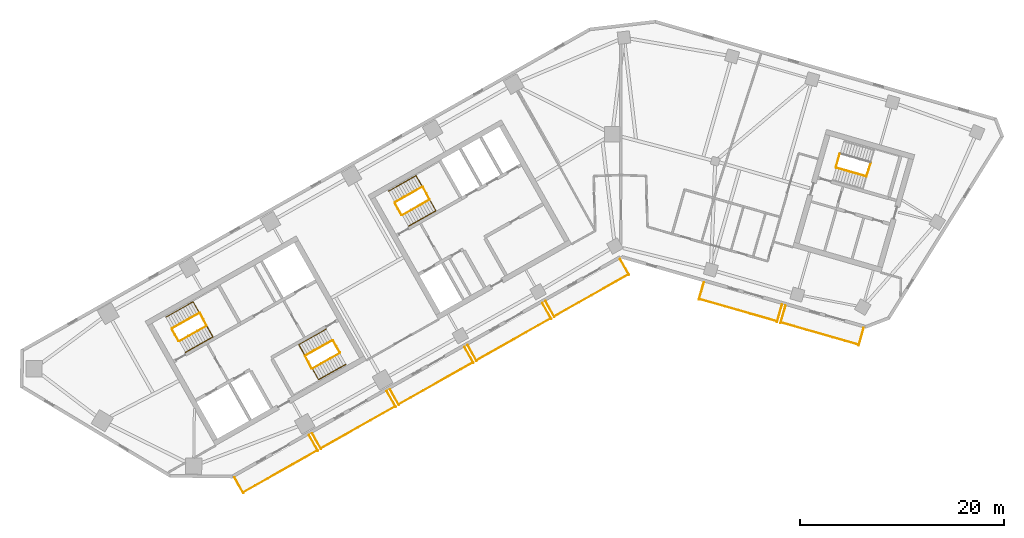
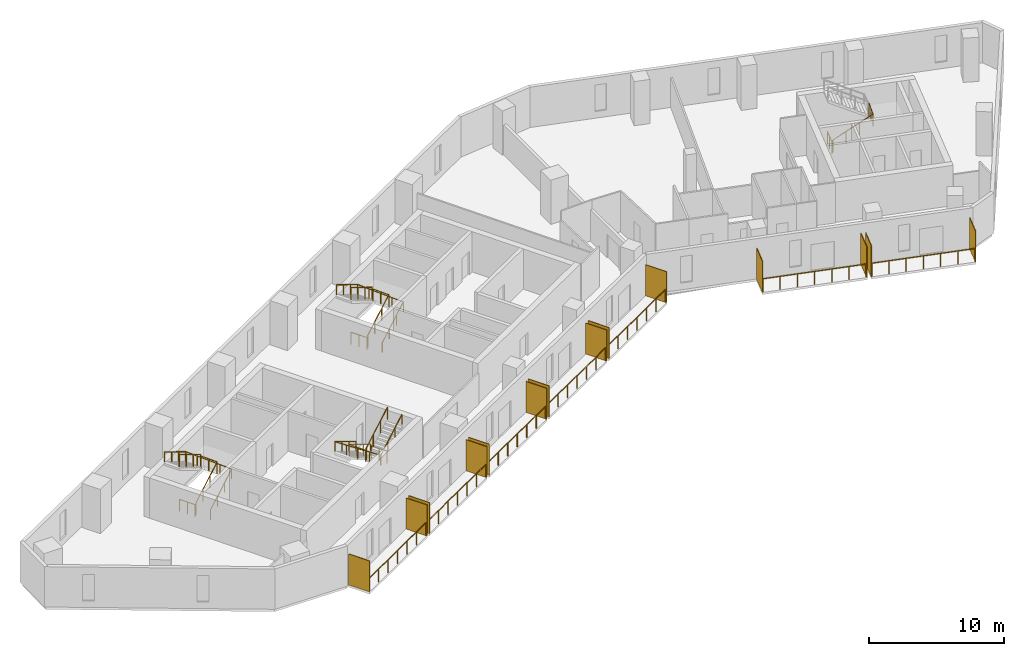
# One storey, part 8 of 9: 21 railings, 14 shading devices.
"""IFC4 building model written with IfcOpenShell, lengths in metres."""

from ifc_helpers import new_model, si_unit, direction, frame, origin, origin_2d, place, context, subcontext, project, spatial, rectangle, circle, extrude, material, layer, layer_set, type_object, element, save


model = new_model("IFC4")

# Units and contexts
model_context = context("Model", 3, precision=1e-05, world=origin(), true_north=direction((0.0, 1.0)))
body_context = subcontext(model_context, "Body", "Model", "MODEL_VIEW")
ifc_project = project(units=[si_unit("LENGTHUNIT", "METRE"), si_unit("AREAUNIT", "SQUARE_METRE"), si_unit("VOLUMEUNIT", "CUBIC_METRE"), si_unit("PLANEANGLEUNIT", "RADIAN"), si_unit("MASSUNIT", "GRAM", prefix="KILO")], contexts=[model_context])

# Site, building, storey
site_placement = place(None, origin())
site = spatial("IfcSite", under=ifc_project, at=site_placement, CompositionType="ELEMENT")
building_placement = place(site_placement, origin())
building = spatial("IfcBuilding", under=site, at=building_placement, Name="Binnacle Exchange Tower", CompositionType="ELEMENT")
storey_placement = place(building_placement, frame((0.0, 0.0, 198.89990234375)))
storey = spatial("IfcBuildingStorey", under=building, at=storey_placement, Name="L43", CompositionType="ELEMENT", Elevation=198.89990234375)

# Railings
ifc_material_1 = material(Name="Bronze anodised aluminium frame", Category="aluminium")
railing_type_1 = type_object("IfcRailingType", Name="GUARD 1200", PredefinedType="GUARDRAIL", material=ifc_material_1)
railing_1_placement = place(storey_placement, frame((-36.994140625, 24.921142578125, 0.0)))
element("IfcRailing", 1, at=railing_1_placement, inside=storey, type_object=railing_type_1, Name="Balcony guard G01-B00 L43", PredefinedType="GUARDRAIL", context=body_context, shape_type="SweptSolid", body=[
    extrude(circle(Radius=0.02392578125, at=origin_2d()), frame((0.0, 0.0, 1.17578125), z_axis=(0.8703461643, 0.49244040684, 0.0), x_axis=(-0.49244040684, 0.8703461643, 0.0)), (0.0, 0.0, 1.0), 8.33447265625),
    extrude(circle(Radius=0.02099609375, at=origin_2d()), origin(), (0.0, 0.0, 1.0), 1.15185546875),
    extrude(circle(Radius=0.02099609375, at=origin_2d()), frame((1.208984375, 0.68408203125, 0.0)), (0.0, 0.0, 1.0), 1.15185546875),
    extrude(circle(Radius=0.02099609375, at=origin_2d()), frame((2.41796875, 1.3681640625, 0.0)), (0.0, 0.0, 1.0), 1.15185546875),
    extrude(circle(Radius=0.02099609375, at=origin_2d()), frame((3.626953125, 2.05224609375, 0.0)), (0.0, 0.0, 1.0), 1.15185546875),
    extrude(circle(Radius=0.02099609375, at=origin_2d()), frame((4.8359375, 2.736083984375, 0.0)), (0.0, 0.0, 1.0), 1.15185546875),
    extrude(circle(Radius=0.02099609375, at=origin_2d()), frame((6.044921875, 3.420166015625, 0.0)), (0.0, 0.0, 1.0), 1.15185546875),
    extrude(circle(Radius=0.02099609375, at=origin_2d()), frame((7.25390625, 4.104248046875, 0.0)), (0.0, 0.0, 1.0), 1.15185546875),
])
railing_2_placement = place(storey_placement, frame((-29.374755859375, 29.232177734375, 0.0)))
element("IfcRailing", 2, at=railing_2_placement, inside=storey, type_object=railing_type_1, Name="Balcony guard G01-B01 L43", PredefinedType="GUARDRAIL", context=body_context, shape_type="SweptSolid", body=[
    extrude(circle(Radius=0.02392578125, at=origin_2d()), frame((0.0, 0.0, 1.17578125), z_axis=(0.870365821494, 0.492405662818, 0.0), x_axis=(-0.492405662818, 0.870365821494, 0.0)), (0.0, 0.0, 1.0), 8.334716796875),
    extrude(circle(Radius=0.02099609375, at=origin_2d()), origin(), (0.0, 0.0, 1.0), 1.15185546875),
    extrude(circle(Radius=0.02099609375, at=origin_2d()), frame((1.208984375, 0.68408203125, 0.0)), (0.0, 0.0, 1.0), 1.15185546875),
    extrude(circle(Radius=0.02099609375, at=origin_2d()), frame((2.41796875, 1.367919921875, 0.0)), (0.0, 0.0, 1.0), 1.15185546875),
    extrude(circle(Radius=0.02099609375, at=origin_2d()), frame((3.626953125, 2.052001953125, 0.0)), (0.0, 0.0, 1.0), 1.15185546875),
    extrude(circle(Radius=0.02099609375, at=origin_2d()), frame((4.836181640625, 2.736083984375, 0.0)), (0.0, 0.0, 1.0), 1.15185546875),
    extrude(circle(Radius=0.02099609375, at=origin_2d()), frame((6.045166015625, 3.419921875, 0.0)), (0.0, 0.0, 1.0), 1.15185546875),
    extrude(circle(Radius=0.02099609375, at=origin_2d()), frame((7.254150390625, 4.10400390625, 0.0)), (0.0, 0.0, 1.0), 1.15185546875),
])
railing_3_placement = place(storey_placement, frame((-21.7548828125, 33.54296875, 0.0)))
element("IfcRailing", 3, at=railing_3_placement, inside=storey, type_object=railing_type_1, Name="Balcony guard G01-B02 L43", PredefinedType="GUARDRAIL", context=body_context, shape_type="SweptSolid", body=[
    extrude(circle(Radius=0.02392578125, at=origin_2d()), frame((0.0, 0.0, 1.17578125), z_axis=(0.870339060608, 0.492452961795, 0.0), x_axis=(-0.492452961795, 0.870339060608, 0.0)), (0.0, 0.0, 1.0), 8.334228515625),
    extrude(circle(Radius=0.02099609375, at=origin_2d()), origin(), (0.0, 0.0, 1.0), 1.15185546875),
    extrude(circle(Radius=0.02099609375, at=origin_2d()), frame((1.208984375, 0.68408203125, 0.0)), (0.0, 0.0, 1.0), 1.15185546875),
    extrude(circle(Radius=0.02099609375, at=origin_2d()), frame((2.41796875, 1.3681640625, 0.0)), (0.0, 0.0, 1.0), 1.15185546875),
    extrude(circle(Radius=0.02099609375, at=origin_2d()), frame((3.626953125, 2.05224609375, 0.0)), (0.0, 0.0, 1.0), 1.15185546875),
    extrude(circle(Radius=0.02099609375, at=origin_2d()), frame((4.835693359375, 2.736083984375, 0.0)), (0.0, 0.0, 1.0), 1.15185546875),
    extrude(circle(Radius=0.02099609375, at=origin_2d()), frame((6.044677734375, 3.420166015625, 0.0)), (0.0, 0.0, 1.0), 1.15185546875),
    extrude(circle(Radius=0.02099609375, at=origin_2d()), frame((7.253662109375, 4.104248046875, 0.0)), (0.0, 0.0, 1.0), 1.15185546875),
])
railing_4_placement = place(storey_placement, frame((-14.135498046875, 37.85400390625, 0.0)))
element("IfcRailing", 4, at=railing_4_placement, inside=storey, type_object=railing_type_1, Name="Balcony guard G01-B03 L43", PredefinedType="GUARDRAIL", context=body_context, shape_type="SweptSolid", body=[
    extrude(circle(Radius=0.02392578125, at=origin_2d()), frame((0.0, 0.0, 1.17578125), z_axis=(0.870365821494, 0.492405662818, 0.0), x_axis=(-0.492405662818, 0.870365821494, 0.0)), (0.0, 0.0, 1.0), 8.334716796875),
    extrude(circle(Radius=0.02099609375, at=origin_2d()), origin(), (0.0, 0.0, 1.0), 1.15185546875),
    extrude(circle(Radius=0.02099609375, at=origin_2d()), frame((1.208984375, 0.68408203125, 0.0)), (0.0, 0.0, 1.0), 1.15185546875),
    extrude(circle(Radius=0.02099609375, at=origin_2d()), frame((2.41796875, 1.367919921875, 0.0)), (0.0, 0.0, 1.0), 1.15185546875),
    extrude(circle(Radius=0.02099609375, at=origin_2d()), frame((3.626953125, 2.052001953125, 0.0)), (0.0, 0.0, 1.0), 1.15185546875),
    extrude(circle(Radius=0.02099609375, at=origin_2d()), frame((4.836181640625, 2.736083984375, 0.0)), (0.0, 0.0, 1.0), 1.15185546875),
    extrude(circle(Radius=0.02099609375, at=origin_2d()), frame((6.045166015625, 3.419921875, 0.0)), (0.0, 0.0, 1.0), 1.15185546875),
    extrude(circle(Radius=0.02099609375, at=origin_2d()), frame((7.254150390625, 4.10400390625, 0.0)), (0.0, 0.0, 1.0), 1.15185546875),
])
railing_5_placement = place(storey_placement, frame((-6.515869140625, 42.164794921875, 0.0)))
element("IfcRailing", 5, at=railing_5_placement, inside=storey, type_object=railing_type_1, Name="Balcony guard G01-B04 L43", PredefinedType="GUARDRAIL", context=body_context, shape_type="SweptSolid", body=[
    extrude(circle(Radius=0.02392578125, at=origin_2d()), frame((0.0, 0.0, 1.17578125), z_axis=(0.8703461643, 0.49244040684, 0.0), x_axis=(-0.49244040684, 0.8703461643, 0.0)), (0.0, 0.0, 1.0), 8.33447265625),
    extrude(circle(Radius=0.02099609375, at=origin_2d()), origin(), (0.0, 0.0, 1.0), 1.15185546875),
    extrude(circle(Radius=0.02099609375, at=origin_2d()), frame((1.208984375, 0.68408203125, 0.0)), (0.0, 0.0, 1.0), 1.15185546875),
    extrude(circle(Radius=0.02099609375, at=origin_2d()), frame((2.41796875, 1.3681640625, 0.0)), (0.0, 0.0, 1.0), 1.15185546875),
    extrude(circle(Radius=0.02099609375, at=origin_2d()), frame((3.626953125, 2.05224609375, 0.0)), (0.0, 0.0, 1.0), 1.15185546875),
    extrude(circle(Radius=0.02099609375, at=origin_2d()), frame((4.8359375, 2.736083984375, 0.0)), (0.0, 0.0, 1.0), 1.15185546875),
    extrude(circle(Radius=0.02099609375, at=origin_2d()), frame((6.044921875, 3.420166015625, 0.0)), (0.0, 0.0, 1.0), 1.15185546875),
    extrude(circle(Radius=0.02099609375, at=origin_2d()), frame((7.25390625, 4.104248046875, 0.0)), (0.0, 0.0, 1.0), 1.15185546875),
])
for number, where, name in (
    (6, (7.6845703125, 43.85107421875, 0.0), "Balcony guard G02-B01 L43"),
    (7, (15.6826171875, 41.5576171875, 0.0), "Balcony guard G02-B02 L43"),
):
    element("IfcRailing", number, at=place(storey_placement, frame(where)), inside=storey, type_object=railing_type_1, Name=name, PredefinedType="GUARDRAIL", context=body_context, shape_type="SweptSolid", body=[
        extrude(circle(Radius=0.02392578125, at=origin_2d()), frame((0.0, 0.0, 1.17578125), z_axis=(0.961265805968, -0.275623022035, 0.0), x_axis=(0.275623022035, 0.961265805968, 0.0)), (0.0, 0.0, 1.0), 7.900146484375),
        extrude(circle(Radius=0.02099609375, at=origin_2d()), origin(), (0.0, 0.0, 1.0), 1.15185546875),
        extrude(circle(Radius=0.02099609375, at=origin_2d()), frame((1.265625, -0.36279296875, 0.0)), (0.0, 0.0, 1.0), 1.15185546875),
        extrude(circle(Radius=0.02099609375, at=origin_2d()), frame((2.531494140625, -0.725830078125, 0.0)), (0.0, 0.0, 1.0), 1.15185546875),
        extrude(circle(Radius=0.02099609375, at=origin_2d()), frame((3.797119140625, -1.0888671875, 0.0)), (0.0, 0.0, 1.0), 1.15185546875),
        extrude(circle(Radius=0.02099609375, at=origin_2d()), frame((5.062744140625, -1.45166015625, 0.0)), (0.0, 0.0, 1.0), 1.15185546875),
        extrude(circle(Radius=0.02099609375, at=origin_2d()), frame((6.32861328125, -1.814453125, 0.0)), (0.0, 0.0, 1.0), 1.15185546875),
        extrude(circle(Radius=0.02099609375, at=origin_2d()), frame((7.59423828125, -2.177490234375, 0.0)), (0.0, 0.0, 1.0), 1.15185546875),
    ])

# Shading devices
ifc_material_2 = material(Name="Bronze aluminium louvre", Category="aluminium")
ifc_layer = layer(ifc_material_2, 0.06005859375)
ifc_layer_set = layer_set([ifc_layer], Name="PLANTED SCREEN 60x2800")
shading_device_type = type_object("IfcShadingDeviceType", Name="PLANTED SCREEN 60x2800", PredefinedType="USERDEFINED", material=ifc_layer_set)
for number, where, z_axis, x_axis, name in (
    (8, (-37.424072265625, 25.6201171875, 0.0), (0.0, 0.0, 1.0), (0.87035569594, 0.492423560103, 0.0), "Planted screen G01-B00a L43"),
    (9, (-30.117919921875, 29.753662109375, 0.0), (0.0, 0.0, 1.0), (0.87035569594, 0.492423560103, 0.0), "Planted screen G01-B00b L43"),
    (10, (-29.8046875, 29.930908203125, 0.0), (0.0, 0.0, 1.0), (0.87035569594, 0.492423560103, 0.0), "Planted screen G01-B01a L43"),
    (11, (-22.498291015625, 34.064697265625, 0.0), (0.0, 0.0, 1.0), (0.87035569594, 0.492423560103, 0.0), "Planted screen G01-B01b L43"),
    (12, (-22.184814453125, 34.241943359375, 0.0), (0.0, 0.0, 1.0), (0.87035569594, 0.492423560103, 0.0), "Planted screen G01-B02a L43"),
    (13, (-14.878662109375, 38.37548828125, 0.0), (0.0, 0.0, 1.0), (0.87035569594, 0.492423560103, 0.0), "Planted screen G01-B02b L43"),
    (14, (-14.5654296875, 38.552978515625, 0.0), (0.0, 0.0, 1.0), (0.87035569594, 0.492423560103, 0.0), "Planted screen G01-B03a L43"),
    (15, (-7.259033203125, 42.6865234375, 0.0), (0.0, 0.0, 1.0), (0.87035569594, 0.492423560103, 0.0), "Planted screen G01-B03b L43"),
    (16, (-6.94580078125, 42.864013671875, 0.0), (0.0, 0.0, 1.0), (0.87035569594, 0.492423560103, 0.0), "Planted screen G01-B04a L43"),
    (17, (0.3603515625, 46.99755859375, 0.0), (0.0, 0.0, 1.0), (0.87035569594, 0.492423560103, 0.0), "Planted screen G01-B04b L43"),
    (18, (7.881591796875, 44.647705078125, 0.0), (0.0, 0.0, 1.0), (0.961261695938, -0.275637355817, 0.0), "Planted screen G02-B01a L43"),
    (19, (15.53369140625, 42.45361328125, 0.0), (0.0, 0.0, 1.0), (0.961261695938, -0.275637355817, 0.0), "Planted screen G02-B01b L43"),
    (20, (15.8798828125, 42.354248046875, 0.0), (0.0, 0.0, 1.0), (0.961261695938, -0.275637355817, 0.0), "Planted screen G02-B02a L43"),
    (21, (23.53173828125, 40.16015625, 0.0), (0.0, 0.0, 1.0), (0.961261695938, -0.275637355817, 0.0), "Planted screen G02-B02b L43"),
):
    element("IfcShadingDevice", number, at=place(storey_placement, frame(where, z_axis=z_axis, x_axis=x_axis)), inside=storey, type_object=shading_device_type, Name=name, ObjectType="SCREEN", PredefinedType="USERDEFINED", context=body_context, shape_type="SweptSolid", body=[
        extrude(rectangle(XDim=0.06005859375, YDim=1.800048828125, at=origin_2d()), origin(), (0.0, 0.0, 1.0), 2.800048828125),
    ])

# Railings
ifc_material_3 = material(Name="Steel guard rail", Category="steel")
railing_type_2 = type_object("IfcRailingType", Name="STAIR GUARD 1100", PredefinedType="GUARDRAIL", material=ifc_material_3)
railing_6_placement = place(storey_placement, frame((-43.26171875, 39.71728515625, 0.166748046875)))
element("IfcRailing", 22, at=railing_6_placement, inside=storey, type_object=railing_type_2, Name="L43 STA1 stair guard 1", PredefinedType="GUARDRAIL", context=body_context, shape_type="SweptSolid", body=[
    extrude(circle(Radius=0.02392578125, at=origin_2d()), frame((0.0, 0.0, 1.076171875), z_axis=(0.747900833971, 0.423129324283, 0.511474258861), x_axis=(-0.492412445098, 0.870361984414, 0.0)), (0.0, 0.0, 1.0), 3.584228515625),
    extrude(circle(Radius=0.02392578125, at=origin_2d()), frame((2.6806640625, 1.5166015625, 2.9091796875), z_axis=(-0.461100321709, 0.887348011391, 0.0), x_axis=(-0.887348011391, -0.461100321709, 0.0)), (0.0, 0.0, 1.0), 1.40087890625),
    extrude(circle(Radius=0.02099609375, at=origin_2d()), origin(), (0.0, 0.0, 1.0), 1.052001953125),
    extrude(circle(Radius=0.02099609375, at=origin_2d()), frame((0.8935546875, 0.505615234375, 0.611083984375)), (0.0, 0.0, 1.0), 1.052001953125),
    extrude(circle(Radius=0.02099609375, at=origin_2d()), frame((1.787109375, 1.010986328125, 1.22216796875)), (0.0, 0.0, 1.0), 1.052001953125),
    extrude(circle(Radius=0.02099609375, at=origin_2d()), frame((2.6806640625, 1.5166015625, 1.833251953125)), (0.0, 0.0, 1.0), 1.052001953125),
    extrude(circle(Radius=0.02099609375, at=origin_2d()), frame((2.357666015625, 2.13818359375, 1.833251953125)), (0.0, 0.0, 1.0), 1.052001953125),
    extrude(circle(Radius=0.02099609375, at=origin_2d()), frame((2.03466796875, 2.759765625, 1.833251953125)), (0.0, 0.0, 1.0), 1.052001953125),
])
railing_7_placement = place(storey_placement, frame((-41.295166015625, 42.49609375, 2.166748046875)))
element("IfcRailing", 23, at=railing_7_placement, inside=storey, type_object=railing_type_2, Name="L43 STA1 stair guard 2", PredefinedType="GUARDRAIL", context=body_context, shape_type="SweptSolid", body=[
    extrude(circle(Radius=0.02392578125, at=origin_2d()), frame((0.0, 0.0, 1.076171875), z_axis=(-0.747879277632, -0.423185241524, 0.511459516916), x_axis=(0.492472489424, -0.870328011247, 0.0)), (0.0, 0.0, 1.0), 3.58447265625),
    extrude(circle(Radius=0.02099609375, at=origin_2d()), origin(), (0.0, 0.0, 1.0), 1.052001953125),
    extrude(circle(Radius=0.02099609375, at=origin_2d()), frame((-0.8935546875, -0.505615234375, 0.611083984375)), (0.0, 0.0, 1.0), 1.052001953125),
    extrude(circle(Radius=0.02099609375, at=origin_2d()), frame((-1.787109375, -1.01123046875, 1.22216796875)), (0.0, 0.0, 1.0), 1.052001953125),
    extrude(circle(Radius=0.02099609375, at=origin_2d()), frame((-2.6806640625, -1.516845703125, 1.833251953125)), (0.0, 0.0, 1.0), 1.052001953125),
])
railing_8_placement = place(storey_placement, frame((-43.329833984375, 39.736328125, 0.0)))
element("IfcRailing", 24, at=railing_8_placement, inside=storey, type_object=railing_type_2, Name="L43 STA1 stair guard 3", PredefinedType="GUARDRAIL", context=body_context, shape_type="SweptSolid", body=[
    extrude(circle(Radius=0.02392578125, at=origin_2d()), frame((0.0, 0.0, 1.076171875), z_axis=(-0.4924922531, 0.870316827734, 0.0), x_axis=(-0.870316827734, -0.4924922531, 0.0)), (0.0, 0.0, 1.0), 1.349853515625),
    extrude(circle(Radius=0.02099609375, at=origin_2d()), origin(), (0.0, 0.0, 1.0), 1.052001953125),
    extrude(circle(Radius=0.02099609375, at=origin_2d()), frame((-0.33251953125, 0.58740234375, 0.0)), (0.0, 0.0, 1.0), 1.052001953125),
    extrude(circle(Radius=0.02099609375, at=origin_2d()), frame((-0.664794921875, 1.1748046875, 0.0)), (0.0, 0.0, 1.0), 1.052001953125),
])
railing_9_placement = place(storey_placement, frame((-28.265380859375, 39.814453125, 0.166748046875)))
element("IfcRailing", 25, at=railing_9_placement, inside=storey, type_object=railing_type_2, Name="L43 STA2 stair guard 1", PredefinedType="GUARDRAIL", context=body_context, shape_type="SweptSolid", body=[
    extrude(circle(Radius=0.02392578125, at=origin_2d()), frame((0.0, 0.0, 1.076171875), z_axis=(-0.747900833971, -0.423129324283, 0.511474258861), x_axis=(0.492412445098, -0.870361984414, 0.0)), (0.0, 0.0, 1.0), 3.584228515625),
    extrude(circle(Radius=0.02392578125, at=origin_2d()), frame((-2.6806640625, -1.5166015625, 2.9091796875), z_axis=(0.460963092712, -0.887419307406, 0.0), x_axis=(0.887419307406, 0.460963092712, 0.0)), (0.0, 0.0, 1.0), 1.40087890625),
    extrude(circle(Radius=0.02099609375, at=origin_2d()), origin(), (0.0, 0.0, 1.0), 1.052001953125),
    extrude(circle(Radius=0.02099609375, at=origin_2d()), frame((-0.8935546875, -0.505615234375, 0.611083984375)), (0.0, 0.0, 1.0), 1.052001953125),
    extrude(circle(Radius=0.02099609375, at=origin_2d()), frame((-1.787109375, -1.010986328125, 1.22216796875)), (0.0, 0.0, 1.0), 1.052001953125),
    extrude(circle(Radius=0.02099609375, at=origin_2d()), frame((-2.6806640625, -1.5166015625, 1.833251953125)), (0.0, 0.0, 1.0), 1.052001953125),
    extrude(circle(Radius=0.02099609375, at=origin_2d()), frame((-2.35791015625, -2.13818359375, 1.833251953125)), (0.0, 0.0, 1.0), 1.052001953125),
    extrude(circle(Radius=0.02099609375, at=origin_2d()), frame((-2.034912109375, -2.759765625, 1.833251953125)), (0.0, 0.0, 1.0), 1.052001953125),
])
railing_10_placement = place(storey_placement, frame((-30.232177734375, 37.035888671875, 2.166748046875)))
element("IfcRailing", 26, at=railing_10_placement, inside=storey, type_object=railing_type_2, Name="L43 STA2 stair guard 2", PredefinedType="GUARDRAIL", context=body_context, shape_type="SweptSolid", body=[
    extrude(circle(Radius=0.02392578125, at=origin_2d()), frame((0.0, 0.0, 1.076171875), z_axis=(0.747900833971, 0.423129324283, 0.511474258861), x_axis=(-0.492412445098, 0.870361984414, 0.0)), (0.0, 0.0, 1.0), 3.584228515625),
    extrude(circle(Radius=0.02099609375, at=origin_2d()), origin(), (0.0, 0.0, 1.0), 1.052001953125),
    extrude(circle(Radius=0.02099609375, at=origin_2d()), frame((0.8935546875, 0.505615234375, 0.611083984375)), (0.0, 0.0, 1.0), 1.052001953125),
    extrude(circle(Radius=0.02099609375, at=origin_2d()), frame((1.787109375, 1.010986328125, 1.22216796875)), (0.0, 0.0, 1.0), 1.052001953125),
    extrude(circle(Radius=0.02099609375, at=origin_2d()), frame((2.6806640625, 1.5166015625, 1.833251953125)), (0.0, 0.0, 1.0), 1.052001953125),
])
railing_11_placement = place(storey_placement, frame((-28.197265625, 39.795654296875, 0.0)))
element("IfcRailing", 27, at=railing_11_placement, inside=storey, type_object=railing_type_2, Name="L43 STA2 stair guard 3", PredefinedType="GUARDRAIL", context=body_context, shape_type="SweptSolid", body=[
    extrude(circle(Radius=0.02392578125, at=origin_2d()), frame((0.0, 0.0, 1.076171875), z_axis=(0.49241474071, -0.870360685654, 0.0), x_axis=(0.870360685654, 0.49241474071, 0.0)), (0.0, 0.0, 1.0), 1.35009765625),
    extrude(circle(Radius=0.02099609375, at=origin_2d()), origin(), (0.0, 0.0, 1.0), 1.052001953125),
    extrude(circle(Radius=0.02099609375, at=origin_2d()), frame((0.33251953125, -0.58740234375, 0.0)), (0.0, 0.0, 1.0), 1.052001953125),
    extrude(circle(Radius=0.02099609375, at=origin_2d()), frame((0.664794921875, -1.175048828125, 0.0)), (0.0, 0.0, 1.0), 1.052001953125),
])
railing_12_placement = place(storey_placement, frame((-21.423828125, 52.07275390625, 0.166748046875)))
element("IfcRailing", 28, at=railing_12_placement, inside=storey, type_object=railing_type_2, Name="L43 STC1 stair guard 1", PredefinedType="GUARDRAIL", context=body_context, shape_type="SweptSolid", body=[
    extrude(circle(Radius=0.02392578125, at=origin_2d()), frame((0.0, 0.0, 1.076171875), z_axis=(0.747900833971, 0.423129324283, 0.511474258861), x_axis=(-0.492412445098, 0.870361984414, 0.0)), (0.0, 0.0, 1.0), 3.584228515625),
    extrude(circle(Radius=0.02392578125, at=origin_2d()), frame((2.6806640625, 1.5166015625, 2.9091796875), z_axis=(-0.460963092712, 0.887419307406, 0.0), x_axis=(-0.887419307406, -0.460963092712, 0.0)), (0.0, 0.0, 1.0), 1.40087890625),
    extrude(circle(Radius=0.02099609375, at=origin_2d()), origin(), (0.0, 0.0, 1.0), 1.052001953125),
    extrude(circle(Radius=0.02099609375, at=origin_2d()), frame((0.8935546875, 0.505615234375, 0.611083984375)), (0.0, 0.0, 1.0), 1.052001953125),
    extrude(circle(Radius=0.02099609375, at=origin_2d()), frame((1.787109375, 1.010986328125, 1.22216796875)), (0.0, 0.0, 1.0), 1.052001953125),
    extrude(circle(Radius=0.02099609375, at=origin_2d()), frame((2.6806640625, 1.5166015625, 1.833251953125)), (0.0, 0.0, 1.0), 1.052001953125),
    extrude(circle(Radius=0.02099609375, at=origin_2d()), frame((2.35791015625, 2.13818359375, 1.833251953125)), (0.0, 0.0, 1.0), 1.052001953125),
    extrude(circle(Radius=0.02099609375, at=origin_2d()), frame((2.034912109375, 2.759765625, 1.833251953125)), (0.0, 0.0, 1.0), 1.052001953125),
])
railing_13_placement = place(storey_placement, frame((-19.45703125, 54.851318359375, 2.166748046875)))
element("IfcRailing", 29, at=railing_13_placement, inside=storey, type_object=railing_type_2, Name="L43 STC1 stair guard 2", PredefinedType="GUARDRAIL", context=body_context, shape_type="SweptSolid", body=[
    extrude(circle(Radius=0.02392578125, at=origin_2d()), frame((0.0, 0.0, 1.076171875), z_axis=(-0.747900833971, -0.423129324283, 0.511474258861), x_axis=(0.492412445098, -0.870361984414, 0.0)), (0.0, 0.0, 1.0), 3.584228515625),
    extrude(circle(Radius=0.02099609375, at=origin_2d()), origin(), (0.0, 0.0, 1.0), 1.052001953125),
    extrude(circle(Radius=0.02099609375, at=origin_2d()), frame((-0.8935546875, -0.505615234375, 0.611083984375)), (0.0, 0.0, 1.0), 1.052001953125),
    extrude(circle(Radius=0.02099609375, at=origin_2d()), frame((-1.787109375, -1.010986328125, 1.22216796875)), (0.0, 0.0, 1.0), 1.052001953125),
    extrude(circle(Radius=0.02099609375, at=origin_2d()), frame((-2.6806640625, -1.5166015625, 1.833251953125)), (0.0, 0.0, 1.0), 1.052001953125),
])
railing_14_placement = place(storey_placement, frame((-21.491943359375, 52.091552734375, 0.0)))
element("IfcRailing", 30, at=railing_14_placement, inside=storey, type_object=railing_type_2, Name="L43 STC1 stair guard 3", PredefinedType="GUARDRAIL", context=body_context, shape_type="SweptSolid", body=[
    extrude(circle(Radius=0.02392578125, at=origin_2d()), frame((0.0, 0.0, 1.076171875), z_axis=(-0.49241474071, 0.870360685654, 0.0), x_axis=(-0.870360685654, -0.49241474071, 0.0)), (0.0, 0.0, 1.0), 1.35009765625),
    extrude(circle(Radius=0.02099609375, at=origin_2d()), origin(), (0.0, 0.0, 1.0), 1.052001953125),
    extrude(circle(Radius=0.02099609375, at=origin_2d()), frame((-0.33251953125, 0.58740234375, 0.0)), (0.0, 0.0, 1.0), 1.052001953125),
    extrude(circle(Radius=0.02099609375, at=origin_2d()), frame((-0.664794921875, 1.175048828125, 0.0)), (0.0, 0.0, 1.0), 1.052001953125),
])
railing_15_placement = place(storey_placement, frame((21.086669921875, 56.71044921875, 0.166748046875)))
element("IfcRailing", 31, at=railing_15_placement, inside=storey, type_object=railing_type_2, Name="L43 STD1 stair guard 1", PredefinedType="GUARDRAIL", context=body_context, shape_type="SweptSolid", body=[
    extrude(circle(Radius=0.02392578125, at=origin_2d()), frame((0.0, 0.0, 1.076171875), z_axis=(0.826006950853, -0.236897186037, 0.511460888427), x_axis=(0.27568413623, 0.961248280639, 0.0)), (0.0, 0.0, 1.0), 3.584228515625),
    extrude(circle(Radius=0.02392578125, at=origin_2d()), frame((2.960693359375, -0.84912109375, 2.9091796875), z_axis=(0.309684985722, 0.950839213337, 0.0), x_axis=(-0.950839213337, 0.309684985722, 0.0)), (0.0, 0.0, 1.0), 1.40087890625),
    extrude(circle(Radius=0.02099609375, at=origin_2d()), origin(), (0.0, 0.0, 1.0), 1.052001953125),
    extrude(circle(Radius=0.02099609375, at=origin_2d()), frame((0.98681640625, -0.282958984375, 0.611083984375)), (0.0, 0.0, 1.0), 1.052001953125),
    extrude(circle(Radius=0.02099609375, at=origin_2d()), frame((1.973876953125, -0.566162109375, 1.22216796875)), (0.0, 0.0, 1.0), 1.052001953125),
    extrude(circle(Radius=0.02099609375, at=origin_2d()), frame((2.960693359375, -0.84912109375, 1.833251953125)), (0.0, 0.0, 1.0), 1.052001953125),
    extrude(circle(Radius=0.02099609375, at=origin_2d()), frame((3.177734375, -0.18310546875, 1.833251953125)), (0.0, 0.0, 1.0), 1.052001953125),
    extrude(circle(Radius=0.02099609375, at=origin_2d()), frame((3.39453125, 0.48291015625, 1.833251953125)), (0.0, 0.0, 1.0), 1.052001953125),
])
railing_16_placement = place(storey_placement, frame((21.05224609375, 56.772216796875, 0.0)))
element("IfcRailing", 32, at=railing_16_placement, inside=storey, type_object=railing_type_2, Name="L43 STD1 stair guard 3", PredefinedType="GUARDRAIL", context=body_context, shape_type="SweptSolid", body=[
    extrude(circle(Radius=0.02392578125, at=origin_2d()), frame((0.0, 0.0, 1.076171875), z_axis=(0.275795817769, 0.961216243569, 0.0), x_axis=(-0.961216243569, 0.275795817769, 0.0)), (0.0, 0.0, 1.0), 1.349853515625),
    extrude(circle(Radius=0.02099609375, at=origin_2d()), origin(), (0.0, 0.0, 1.0), 1.052001953125),
    extrude(circle(Radius=0.02099609375, at=origin_2d()), frame((0.18603515625, 0.64892578125, 0.0)), (0.0, 0.0, 1.0), 1.052001953125),
    extrude(circle(Radius=0.02099609375, at=origin_2d()), frame((0.372314453125, 1.297607421875, 0.0)), (0.0, 0.0, 1.0), 1.052001953125),
])
ifc_material_4 = material(Name="Steel handrail", Category="steel")
railing_type_3 = type_object("IfcRailingType", Name="STAIR HANDRAIL 900", PredefinedType="HANDRAIL", material=ifc_material_4)
railing_17_placement = place(storey_placement, frame((-42.646240234375, 38.62939453125, 0.166748046875)))
element("IfcRailing", 33, at=railing_17_placement, inside=storey, type_object=railing_type_3, Name="L43 STA1 stair handrail 1", PredefinedType="HANDRAIL", context=body_context, shape_type="SweptSolid", body=[
    extrude(circle(Radius=0.02392578125, at=origin_2d()), frame((0.0, 0.0, 0.8759765625), z_axis=(0.747900833971, 0.423129324283, 0.511474258861), x_axis=(-0.492412445098, 0.870361984414, 0.0)), (0.0, 0.0, 1.0), 3.584228515625),
    extrude(circle(Radius=0.02392578125, at=origin_2d()), frame((2.6806640625, 1.5166015625, 2.708984375), z_axis=(-0.491975462752, 0.869586854082, 0.042176382711), x_axis=(-0.870361318571, -0.492413622004, 0.0)), (0.0, 0.0, 1.0), 3.95361328125),
    extrude(circle(Radius=0.02392578125, at=origin_2d()), frame((0.735595703125, 4.95458984375, 2.8759765625), z_axis=(-0.747900833971, -0.423129324283, 0.511474258861), x_axis=(0.492412445098, -0.870361984414, 0.0)), (0.0, 0.0, 1.0), 3.584228515625),
    extrude(circle(Radius=0.02099609375, at=origin_2d()), origin(), (0.0, 0.0, 1.0), 0.851806640625),
    extrude(circle(Radius=0.02099609375, at=origin_2d()), frame((0.8935546875, 0.505615234375, 0.611083984375)), (0.0, 0.0, 1.0), 0.851806640625),
    extrude(circle(Radius=0.02099609375, at=origin_2d()), frame((1.787109375, 1.010986328125, 1.22216796875)), (0.0, 0.0, 1.0), 0.851806640625),
    extrude(circle(Radius=0.02099609375, at=origin_2d()), frame((2.6806640625, 1.5166015625, 1.833251953125)), (0.0, 0.0, 1.0), 0.851806640625),
    extrude(circle(Radius=0.02099609375, at=origin_2d()), frame((2.1943359375, 2.3759765625, 1.875)), (0.0, 0.0, 1.0), 0.851806640625),
    extrude(circle(Radius=0.02099609375, at=origin_2d()), frame((1.7080078125, 3.235595703125, 1.91650390625)), (0.0, 0.0, 1.0), 0.851806640625),
    extrude(circle(Radius=0.02099609375, at=origin_2d()), frame((1.221923828125, 4.09521484375, 1.958251953125)), (0.0, 0.0, 1.0), 0.851806640625),
    extrude(circle(Radius=0.02099609375, at=origin_2d()), frame((0.735595703125, 4.95458984375, 2.0)), (0.0, 0.0, 1.0), 0.851806640625),
    extrude(circle(Radius=0.02099609375, at=origin_2d()), frame((-0.157958984375, 4.448974609375, 2.611083984375)), (0.0, 0.0, 1.0), 0.851806640625),
    extrude(circle(Radius=0.02099609375, at=origin_2d()), frame((-1.051513671875, 3.943603515625, 3.22216796875)), (0.0, 0.0, 1.0), 0.851806640625),
    extrude(circle(Radius=0.02099609375, at=origin_2d()), frame((-1.945068359375, 3.43798828125, 3.833251953125)), (0.0, 0.0, 1.0), 0.851806640625),
])
railing_18_placement = place(storey_placement, frame((-28.880859375, 40.90234375, 0.166748046875)))
element("IfcRailing", 34, at=railing_18_placement, inside=storey, type_object=railing_type_3, Name="L43 STA2 stair handrail 1", PredefinedType="HANDRAIL", context=body_context, shape_type="SweptSolid", body=[
    extrude(circle(Radius=0.02392578125, at=origin_2d()), frame((0.0, 0.0, 0.8759765625), z_axis=(-0.747930846092, -0.423107769413, 0.511448203561), x_axis=(0.492378474645, -0.870381202524, 0.0)), (0.0, 0.0, 1.0), 3.58447265625),
    extrude(circle(Radius=0.02392578125, at=origin_2d()), frame((-2.680908203125, -1.5166015625, 2.708984375), z_axis=(0.491975462752, -0.869586854082, 0.042176382711), x_axis=(0.870361318571, 0.492413622004, 0.0)), (0.0, 0.0, 1.0), 3.95361328125),
    extrude(circle(Radius=0.02392578125, at=origin_2d()), frame((-0.73583984375, -4.95458984375, 2.8759765625), z_axis=(0.747909291085, 0.423163685048, 0.51143346387), x_axis=(-0.49243851748, 0.870347233294, 0.0)), (0.0, 0.0, 1.0), 3.58447265625),
    extrude(circle(Radius=0.02099609375, at=origin_2d()), origin(), (0.0, 0.0, 1.0), 0.851806640625),
    extrude(circle(Radius=0.02099609375, at=origin_2d()), frame((-0.8935546875, -0.505615234375, 0.611083984375)), (0.0, 0.0, 1.0), 0.851806640625),
    extrude(circle(Radius=0.02099609375, at=origin_2d()), frame((-1.787353515625, -1.010986328125, 1.22216796875)), (0.0, 0.0, 1.0), 0.851806640625),
    extrude(circle(Radius=0.02099609375, at=origin_2d()), frame((-2.680908203125, -1.5166015625, 1.833251953125)), (0.0, 0.0, 1.0), 0.851806640625),
    extrude(circle(Radius=0.02099609375, at=origin_2d()), frame((-2.194580078125, -2.3759765625, 1.875)), (0.0, 0.0, 1.0), 0.851806640625),
    extrude(circle(Radius=0.02099609375, at=origin_2d()), frame((-1.70849609375, -3.235595703125, 1.91650390625)), (0.0, 0.0, 1.0), 0.851806640625),
    extrude(circle(Radius=0.02099609375, at=origin_2d()), frame((-1.22216796875, -4.09521484375, 1.958251953125)), (0.0, 0.0, 1.0), 0.851806640625),
    extrude(circle(Radius=0.02099609375, at=origin_2d()), frame((-0.73583984375, -4.95458984375, 2.0)), (0.0, 0.0, 1.0), 0.851806640625),
    extrude(circle(Radius=0.02099609375, at=origin_2d()), frame((0.15771484375, -4.448974609375, 2.611083984375)), (0.0, 0.0, 1.0), 0.851806640625),
    extrude(circle(Radius=0.02099609375, at=origin_2d()), frame((1.051513671875, -3.943359375, 3.22216796875)), (0.0, 0.0, 1.0), 0.851806640625),
    extrude(circle(Radius=0.02099609375, at=origin_2d()), frame((1.945068359375, -3.437744140625, 3.833251953125)), (0.0, 0.0, 1.0), 0.851806640625),
])
railing_19_placement = place(storey_placement, frame((-20.808349609375, 50.984619140625, 0.166748046875)))
element("IfcRailing", 35, at=railing_19_placement, inside=storey, type_object=railing_type_3, Name="L43 STC1 stair handrail 1", PredefinedType="HANDRAIL", context=body_context, shape_type="SweptSolid", body=[
    extrude(circle(Radius=0.02392578125, at=origin_2d()), frame((0.0, 0.0, 0.8759765625), z_axis=(0.747909291085, 0.423163685048, 0.51143346387), x_axis=(-0.49243851748, 0.870347233294, 0.0)), (0.0, 0.0, 1.0), 3.58447265625),
    extrude(circle(Radius=0.02392578125, at=origin_2d()), frame((2.680908203125, 1.516845703125, 2.708984375), z_axis=(-0.492001882252, 0.86957179666, 0.042178647619), x_axis=(-0.87034633103, -0.492440112159, 0.0)), (0.0, 0.0, 1.0), 3.953369140625),
    extrude(circle(Radius=0.02392578125, at=origin_2d()), frame((0.73583984375, 4.95458984375, 2.8759765625), z_axis=(-0.747930846092, -0.423107769413, 0.511448203561), x_axis=(0.492378474645, -0.870381202524, 0.0)), (0.0, 0.0, 1.0), 3.58447265625),
    extrude(circle(Radius=0.02099609375, at=origin_2d()), origin(), (0.0, 0.0, 1.0), 0.851806640625),
    extrude(circle(Radius=0.02099609375, at=origin_2d()), frame((0.8935546875, 0.505615234375, 0.611083984375)), (0.0, 0.0, 1.0), 0.851806640625),
    extrude(circle(Radius=0.02099609375, at=origin_2d()), frame((1.787353515625, 1.01123046875, 1.22216796875)), (0.0, 0.0, 1.0), 0.851806640625),
    extrude(circle(Radius=0.02099609375, at=origin_2d()), frame((2.680908203125, 1.516845703125, 1.833251953125)), (0.0, 0.0, 1.0), 0.851806640625),
    extrude(circle(Radius=0.02099609375, at=origin_2d()), frame((2.194580078125, 2.376220703125, 1.875)), (0.0, 0.0, 1.0), 0.851806640625),
    extrude(circle(Radius=0.02099609375, at=origin_2d()), frame((1.70849609375, 3.23583984375, 1.91650390625)), (0.0, 0.0, 1.0), 0.851806640625),
    extrude(circle(Radius=0.02099609375, at=origin_2d()), frame((1.22216796875, 4.09521484375, 1.958251953125)), (0.0, 0.0, 1.0), 0.851806640625),
    extrude(circle(Radius=0.02099609375, at=origin_2d()), frame((0.73583984375, 4.95458984375, 2.0)), (0.0, 0.0, 1.0), 0.851806640625),
    extrude(circle(Radius=0.02099609375, at=origin_2d()), frame((-0.15771484375, 4.448974609375, 2.611083984375)), (0.0, 0.0, 1.0), 0.851806640625),
    extrude(circle(Radius=0.02099609375, at=origin_2d()), frame((-1.051513671875, 3.943603515625, 3.22216796875)), (0.0, 0.0, 1.0), 0.851806640625),
    extrude(circle(Radius=0.02099609375, at=origin_2d()), frame((-1.945068359375, 3.43798828125, 3.833251953125)), (0.0, 0.0, 1.0), 0.851806640625),
])

save(model, "model.ifc")
